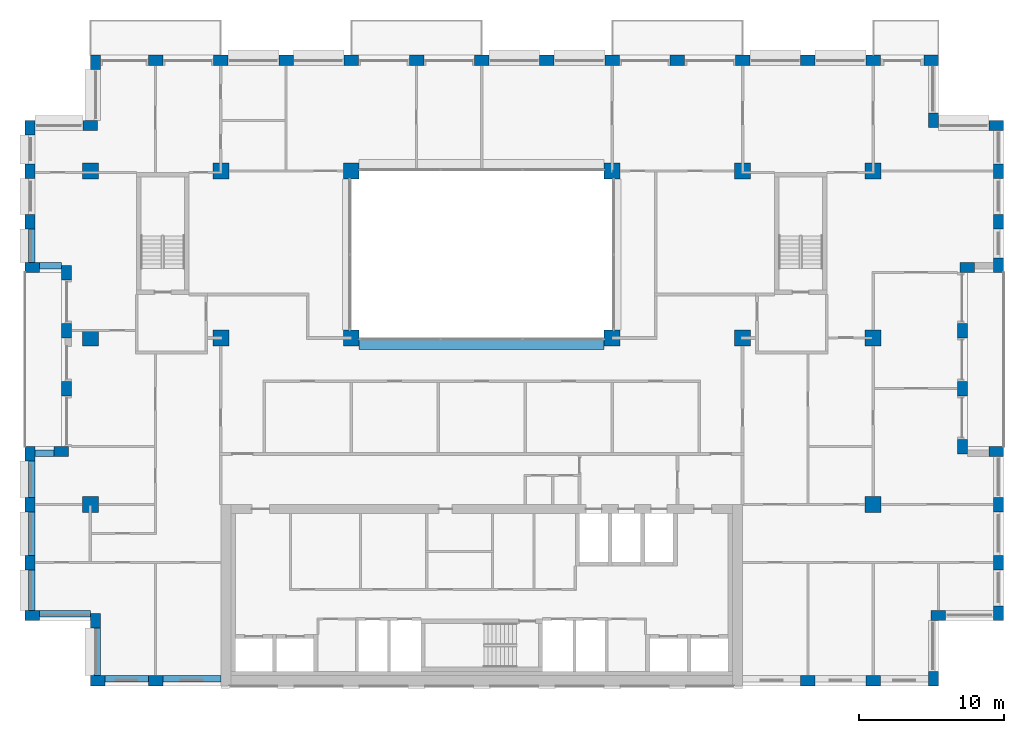
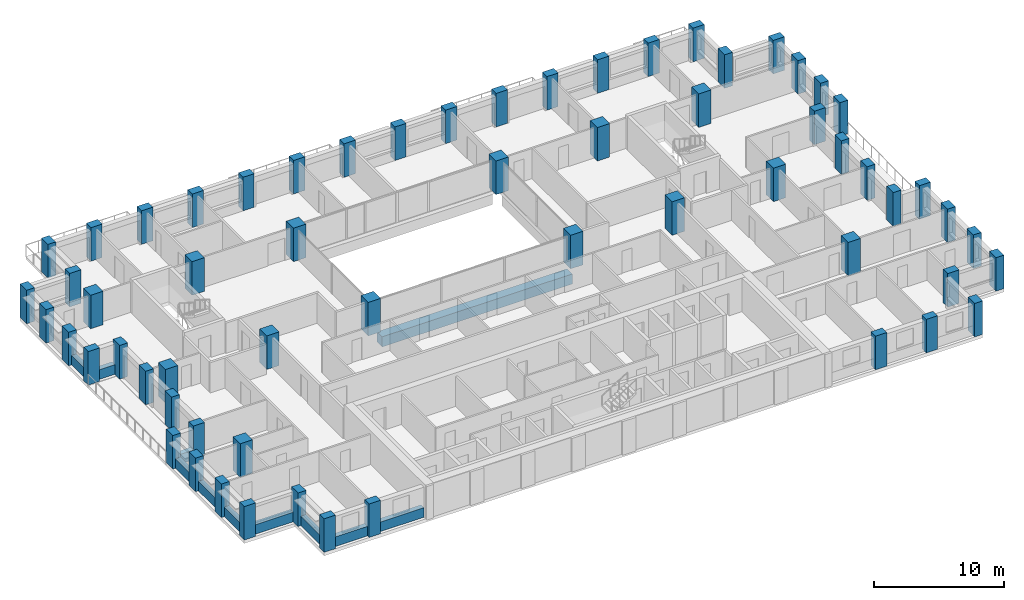
# One storey, part 1 of 15: 61 columns, 11 beams.
"""IFC4 building model written with IfcOpenShell, lengths in metres."""

from ifc_helpers import new_model, si_unit, direction, frame, origin, origin_2d, place, context, subcontext, project, spatial, rectangle, extrude, material, material_profile, profile_set, type_object, element, save


model = new_model("IFC4")

# Units and contexts
model_context = context("Model", 3, precision=1e-05, world=origin(), true_north=direction((0.0, 1.0)))
body_context = subcontext(model_context, "Body", "Model", "MODEL_VIEW")
ifc_project = project(units=[si_unit("LENGTHUNIT", "METRE"), si_unit("AREAUNIT", "SQUARE_METRE"), si_unit("VOLUMEUNIT", "CUBIC_METRE"), si_unit("PLANEANGLEUNIT", "RADIAN"), si_unit("MASSUNIT", "GRAM", prefix="KILO")], contexts=[model_context])

# Site, building, storey
site_placement = place(None, origin())
site = spatial("IfcSite", under=ifc_project, at=site_placement, CompositionType="ELEMENT")
building_placement = place(site_placement, origin())
building = spatial("IfcBuilding", under=site, at=building_placement, Name="Brigalow Station Residences", CompositionType="ELEMENT")
storey_placement = place(building_placement, frame((0.0, 0.0, 144.449951171875)))
storey = spatial("IfcBuildingStorey", under=building, at=storey_placement, Name="L41", CompositionType="ELEMENT", Elevation=144.449951171875)

# Columns
ifc_material_1 = material(Name="Concrete C65", Category="concrete")
ifc_material_profile_1 = material_profile(ifc_material_1, rectangle(XDim=1.10009765625, YDim=1.10009765625, at=origin_2d()), Name="RC1100x1100")
ifc_profile_set_1 = profile_set([ifc_material_profile_1], Name="Concrete C65")
column_type_1 = type_object("IfcColumnType", Name="COLUMN 1100x1100 C65", PredefinedType="COLUMN", material=ifc_profile_set_1)
for number, where, z_axis, x_axis, name in (
    (1, (9.0, 24.0, 0.0), (0.0, 0.0, 1.0), (1.0, 0.0, 0.0), "COLUMN C1 L41"),
    (2, (18.0, 24.0, 0.0), (0.0, 0.0, 1.0), (1.0, 0.0, 0.0), "COLUMN C2 L41"),
    (3, (27.0, 24.0, 0.0), (0.0, 0.0, 1.0), (1.0, 0.0, 0.0), "COLUMN C3 L41"),
    (4, (45.0, 24.0, 0.0), (0.0, 0.0, 1.0), (1.0, 0.0, 0.0), "COLUMN C5 L41"),
    (5, (54.0, 24.0, 0.0), (0.0, 0.0, 1.0), (1.0, 0.0, 0.0), "COLUMN C6 L41"),
    (6, (63.0, 24.0, 0.0), (0.0, 0.0, 1.0), (1.0, 0.0, 0.0), "COLUMN C7 L41"),
    (7, (9.0, 35.5, 0.0), (0.0, 0.0, 1.0), (1.0, 0.0, 0.0), "COLUMN D1 L41"),
    (8, (18.0, 35.5, 0.0), (0.0, 0.0, 1.0), (1.0, 0.0, 0.0), "COLUMN D2 L41"),
    (9, (27.0, 35.5, 0.0), (0.0, 0.0, 1.0), (1.0, 0.0, 0.0), "COLUMN D3 L41"),
    (10, (45.0, 35.5, 0.0), (0.0, 0.0, 1.0), (1.0, 0.0, 0.0), "COLUMN D5 L41"),
    (11, (54.0, 35.5, 0.0), (0.0, 0.0, 1.0), (1.0, 0.0, 0.0), "COLUMN D6 L41"),
    (12, (63.0, 35.5, 0.0), (0.0, 0.0, 1.0), (1.0, 0.0, 0.0), "COLUMN D7 L41"),
    (13, (9.0, 12.5, 0.0), (0.0, 0.0, 1.0), (1.0, 0.0, 0.0), "COLUMN B1 L41"),
    (14, (63.0, 12.5, 0.0), (0.0, 0.0, 1.0), (1.0, 0.0, 0.0), "COLUMN B7 L41"),
):
    element("IfcColumn", number, at=place(storey_placement, frame(where, z_axis=z_axis, x_axis=x_axis)), inside=storey, type_object=column_type_1, Name=name, PredefinedType="COLUMN", context=body_context, shape_type="SweptSolid", body=[
        extrude(rectangle(XDim=1.10009765625, YDim=1.10009765625, at=origin_2d()), origin(), (0.0, 0.0, 1.0), 3.150146484375),
    ])
ifc_material_2 = material(Name="Concrete C65", Category="concrete")
ifc_material_profile_2 = material_profile(ifc_material_2, rectangle(XDim=1.0, YDim=0.699951171875, at=origin_2d()), Name="RC1000x700")
ifc_profile_set_2 = profile_set([ifc_material_profile_2], Name="Concrete C65")
column_type_2 = type_object("IfcColumnType", Name="PIER 1000x700 C65", PredefinedType="USERDEFINED", material=ifc_profile_set_2)
for number, where, z_axis, x_axis, name in (
    (15, (9.5, 0.35009765625, 0.0), (0.0, 0.0, 1.0), (1.0, 0.0, 0.0), "PIER S-1 L41"),
    (16, (13.5, 0.35009765625, 0.0), (0.0, 0.0, 1.0), (1.0, 0.0, 0.0), "PIER S-2 L41"),
    (17, (58.5, 0.35009765625, 0.0), (0.0, 0.0, 1.0), (1.0, 0.0, 0.0), "PIER S-12 L41"),
    (18, (63.0, 0.35009765625, 0.0), (0.0, 0.0, 1.0), (1.0, 0.0, 0.0), "PIER S-13 L41"),
    (19, (67.14990234375, 0.5, 0.0), (0.0, 0.0, 1.0), (0.0, 1.0, 0.0), "PIER SE1-1 L41"),
    (20, (67.5, 4.85009765625, 0.0), (0.0, 0.0, 1.0), (1.0, 0.0, 0.0), "PIER SE2-1 L41"),
    (21, (71.64990234375, 5.0, 0.0), (0.0, 0.0, 1.0), (0.0, 1.0, 0.0), "PIER E1-1 L41"),
    (22, (71.64990234375, 8.5, 0.0), (0.0, 0.0, 1.0), (0.0, 1.0, 0.0), "PIER E1-2 L41"),
    (23, (71.64990234375, 12.5, 0.0), (0.0, 0.0, 1.0), (0.0, 1.0, 0.0), "PIER E1-3 L41"),
    (24, (71.5, 16.14990234375, 0.0), (0.0, 0.0, 1.0), (-1.0, 0.0, 0.0), "PIER EL1-1 L41"),
    (25, (69.14990234375, 16.5, 0.0), (0.0, 0.0, 1.0), (0.0, 1.0, 0.0), "PIER EL2-1 L41"),
    (26, (69.14990234375, 20.5, 0.0), (0.0, 0.0, 1.0), (0.0, 1.0, 0.0), "PIER EL2-2 L41"),
    (27, (69.14990234375, 24.5, 0.0), (0.0, 0.0, 1.0), (0.0, 1.0, 0.0), "PIER EL2-3 L41"),
    (28, (69.5, 28.85009765625, 0.0), (0.0, 0.0, 1.0), (1.0, 0.0, 0.0), "PIER EL3-1 L41"),
    (29, (71.64990234375, 29.0, 0.0), (0.0, 0.0, 1.0), (0.0, 1.0, 0.0), "PIER E2-1 L41"),
    (30, (71.64990234375, 32.0, 0.0), (0.0, 0.0, 1.0), (0.0, 1.0, 0.0), "PIER E2-2 L41"),
    (31, (71.64990234375, 35.5, 0.0), (0.0, 0.0, 1.0), (0.0, 1.0, 0.0), "PIER E2-3 L41"),
    (32, (71.5, 38.64990234375, 0.0), (0.0, 0.0, 1.0), (-1.0, 0.0, 0.0), "PIER NE1-1 L41"),
    (33, (67.14990234375, 39.0, 0.0), (0.0, 0.0, 1.0), (0.0, 1.0, 0.0), "PIER NE2-1 L41"),
    (34, (67.0, 43.14990234375, 0.0), (0.0, 0.0, 1.0), (-1.0, 0.0, 0.0), "PIER N-1 L41"),
    (35, (63.0, 43.14990234375, 0.0), (0.0, 0.0, 1.0), (-1.0, 0.0, 0.0), "PIER N-2 L41"),
    (36, (58.5, 43.14990234375, 0.0), (0.0, 0.0, 1.0), (-1.0, 0.0, 0.0), "PIER N-3 L41"),
    (37, (54.0, 43.14990234375, 0.0), (0.0, 0.0, 1.0), (-1.0, 0.0, 0.0), "PIER N-4 L41"),
    (38, (49.5, 43.14990234375, 0.0), (0.0, 0.0, 1.0), (-1.0, 0.0, 0.0), "PIER N-5 L41"),
    (39, (45.0, 43.14990234375, 0.0), (0.0, 0.0, 1.0), (-1.0, 0.0, 0.0), "PIER N-6 L41"),
    (40, (40.5, 43.14990234375, 0.0), (0.0, 0.0, 1.0), (-1.0, 0.0, 0.0), "PIER N-7 L41"),
    (41, (36.0, 43.14990234375, 0.0), (0.0, 0.0, 1.0), (-1.0, 0.0, 0.0), "PIER N-8 L41"),
    (42, (31.5, 43.14990234375, 0.0), (0.0, 0.0, 1.0), (-1.0, 0.0, 0.0), "PIER N-9 L41"),
    (43, (27.0, 43.14990234375, 0.0), (0.0, 0.0, 1.0), (-1.0, 0.0, 0.0), "PIER N-10 L41"),
    (44, (22.5, 43.14990234375, 0.0), (0.0, 0.0, 1.0), (-1.0, 0.0, 0.0), "PIER N-11 L41"),
    (45, (18.0, 43.14990234375, 0.0), (0.0, 0.0, 1.0), (-1.0, 0.0, 0.0), "PIER N-12 L41"),
    (46, (13.5, 43.14990234375, 0.0), (0.0, 0.0, 1.0), (-1.0, 0.0, 0.0), "PIER N-13 L41"),
    (47, (9.35009765625, 43.0, 0.0), (0.0, 0.0, 1.0), (0.0, -1.0, 0.0), "PIER NW1-1 L41"),
    (48, (9.0, 38.64990234375, 0.0), (0.0, 0.0, 1.0), (-1.0, 0.0, 0.0), "PIER NW2-1 L41"),
    (49, (4.85009765625, 38.5, 0.0), (0.0, 0.0, 1.0), (0.0, -1.0, 0.0), "PIER W2-1 L41"),
    (50, (4.85009765625, 35.5, 0.0), (0.0, 0.0, 1.0), (0.0, -1.0, 0.0), "PIER W2-2 L41"),
    (51, (4.85009765625, 32.0, 0.0), (0.0, 0.0, 1.0), (0.0, -1.0, 0.0), "PIER W2-3 L41"),
    (52, (5.0, 28.85009765625, 0.0), (0.0, 0.0, 1.0), (1.0, 0.0, 0.0), "PIER WL1-1 L41"),
    (53, (7.35009765625, 28.5, 0.0), (0.0, 0.0, 1.0), (0.0, -1.0, 0.0), "PIER WL2-1 L41"),
    (54, (7.35009765625, 24.5, 0.0), (0.0, 0.0, 1.0), (0.0, -1.0, 0.0), "PIER WL2-2 L41"),
    (55, (7.35009765625, 20.5, 0.0), (0.0, 0.0, 1.0), (0.0, -1.0, 0.0), "PIER WL2-3 L41"),
    (56, (7.0, 16.14990234375, 0.0), (0.0, 0.0, 1.0), (-1.0, 0.0, 0.0), "PIER WL3-1 L41"),
    (57, (4.85009765625, 16.0, 0.0), (0.0, 0.0, 1.0), (0.0, -1.0, 0.0), "PIER W1-1 L41"),
    (58, (4.85009765625, 12.5, 0.0), (0.0, 0.0, 1.0), (0.0, -1.0, 0.0), "PIER W1-2 L41"),
    (59, (4.85009765625, 8.5, 0.0), (0.0, 0.0, 1.0), (0.0, -1.0, 0.0), "PIER W1-3 L41"),
    (60, (5.0, 4.85009765625, 0.0), (0.0, 0.0, 1.0), (1.0, 0.0, 0.0), "PIER SW1-1 L41"),
    (61, (9.35009765625, 4.5, 0.0), (0.0, 0.0, 1.0), (0.0, -1.0, 0.0), "PIER SW2-1 L41"),
):
    element("IfcColumn", number, at=place(storey_placement, frame(where, z_axis=z_axis, x_axis=x_axis)), inside=storey, type_object=column_type_2, Name=name, ObjectType="PIER", PredefinedType="USERDEFINED", context=body_context, shape_type="SweptSolid", body=[
        extrude(rectangle(XDim=1.0, YDim=0.699951171875, at=origin_2d()), origin(), (0.0, 0.0, 1.0), 3.150146484375),
    ])

# Beams
ifc_material_3 = material(Name="Concrete C65", Category="concrete")
ifc_material_profile_3 = material_profile(ifc_material_3, rectangle(XDim=0.800048828125, YDim=0.949951171875, at=origin_2d()), Name="RC800x950")
ifc_profile_set_3 = profile_set([ifc_material_profile_3], Name="Concrete C65")
beam_type_1 = type_object("IfcBeamType", Name="ATRIUM EDGE GIRDER OVER 13.5 M SPAN 800x950 C65", PredefinedType="BEAM", material=ifc_profile_set_3)
beam_1_placement = place(storey_placement, frame((27.550048828125, 23.60009765625, -0.794921875), z_axis=(1.0, 0.0, 0.0), x_axis=(0.0, 1.0, 0.0)))
element("IfcBeam", 62, at=beam_1_placement, inside=storey, type_object=beam_type_1, Name="ATRIUM EDGE GIRDER C L41", PredefinedType="BEAM", context=body_context, shape_type="SweptSolid", body=[
    extrude(rectangle(XDim=0.800048828125, YDim=0.949951171875, at=origin_2d()), origin(), (0.0, 0.0, 1.0), 16.89990234375),
])
ifc_material_4 = material(Name="Concrete C50", Category="concrete")
ifc_material_profile_4 = material_profile(ifc_material_4, rectangle(XDim=0.449951171875, YDim=0.89990234375, at=origin_2d()), Name="RC450x900")
ifc_profile_set_4 = profile_set([ifc_material_profile_4], Name="Concrete C50")
beam_type_2 = type_object("IfcBeamType", Name="SPANDREL BEAM 450x900 C50", PredefinedType="SPANDREL", material=ifc_profile_set_4)
beam_2_placement = place(storey_placement, frame((10.0, 0.47509765625, 0.449951171875), z_axis=(1.0, 0.0, 0.0), x_axis=(0.0, 1.0, 0.0)))
element("IfcBeam", 63, at=beam_2_placement, inside=storey, type_object=beam_type_2, Name="L41/spandrel/W-L41-1", PredefinedType="SPANDREL", context=body_context, shape_type="SweptSolid", body=[
    extrude(rectangle(XDim=0.449951171875, YDim=0.89990234375, at=origin_2d()), origin(), (0.0, 0.0, 1.0), 3.0),
])
beam_3_placement = place(storey_placement, frame((14.0, 0.47509765625, 0.449951171875), z_axis=(1.0, 0.0, 0.0), x_axis=(0.0, 1.0, 0.0)))
element("IfcBeam", 64, at=beam_3_placement, inside=storey, type_object=beam_type_2, Name="L41/spandrel/W-L41-2", PredefinedType="SPANDREL", context=body_context, shape_type="SweptSolid", body=[
    extrude(rectangle(XDim=0.449951171875, YDim=0.89990234375, at=origin_2d()), origin(), (0.0, 0.0, 1.0), 4.0),
])
beam_4_placement = place(storey_placement, frame((4.97509765625, 31.5, 0.449951171875), z_axis=(0.0, -1.0, 0.0), x_axis=(1.0, 0.0, 0.0)))
element("IfcBeam", 65, at=beam_4_placement, inside=storey, type_object=beam_type_2, Name="L41/spandrel/W-L41-39", PredefinedType="SPANDREL", context=body_context, shape_type="SweptSolid", body=[
    extrude(rectangle(XDim=0.449951171875, YDim=0.89990234375, at=origin_2d()), origin(), (0.0, 0.0, 1.0), 2.300048828125),
])
beam_5_placement = place(storey_placement, frame((5.5, 28.97509765625, 0.449951171875), z_axis=(1.0, 0.0, 0.0), x_axis=(0.0, 1.0, 0.0)))
element("IfcBeam", 66, at=beam_5_placement, inside=storey, type_object=beam_type_2, Name="L41/spandrel/W-L41-40", PredefinedType="SPANDREL", context=body_context, shape_type="SweptSolid", body=[
    extrude(rectangle(XDim=0.449951171875, YDim=0.89990234375, at=origin_2d()), origin(), (0.0, 0.0, 1.0), 1.5),
])
beam_6_placement = place(storey_placement, frame((6.5, 16.02490234375, 0.449951171875), z_axis=(-1.0, 0.0, 0.0), x_axis=(0.0, -1.0, 0.0)))
element("IfcBeam", 67, at=beam_6_placement, inside=storey, type_object=beam_type_2, Name="L41/spandrel/W-L41-44", PredefinedType="SPANDREL", context=body_context, shape_type="SweptSolid", body=[
    extrude(rectangle(XDim=0.449951171875, YDim=0.89990234375, at=origin_2d()), origin(), (0.0, 0.0, 1.0), 1.300048828125),
])
beam_7_placement = place(storey_placement, frame((4.97509765625, 15.5, 0.449951171875), z_axis=(0.0, -1.0, 0.0), x_axis=(1.0, 0.0, 0.0)))
element("IfcBeam", 68, at=beam_7_placement, inside=storey, type_object=beam_type_2, Name="L41/spandrel/W-L41-45", PredefinedType="SPANDREL", context=body_context, shape_type="SweptSolid", body=[
    extrude(rectangle(XDim=0.449951171875, YDim=0.89990234375, at=origin_2d()), origin(), (0.0, 0.0, 1.0), 2.5),
])
beam_8_placement = place(storey_placement, frame((4.97509765625, 12.0, 0.449951171875), z_axis=(0.0, -1.0, 0.0), x_axis=(1.0, 0.0, 0.0)))
element("IfcBeam", 69, at=beam_8_placement, inside=storey, type_object=beam_type_2, Name="L41/spandrel/W-L41-46", PredefinedType="SPANDREL", context=body_context, shape_type="SweptSolid", body=[
    extrude(rectangle(XDim=0.449951171875, YDim=0.89990234375, at=origin_2d()), origin(), (0.0, 0.0, 1.0), 3.0),
])
beam_9_placement = place(storey_placement, frame((4.97509765625, 8.0, 0.449951171875), z_axis=(0.0, -1.0, 0.0), x_axis=(1.0, 0.0, 0.0)))
element("IfcBeam", 70, at=beam_9_placement, inside=storey, type_object=beam_type_2, Name="L41/spandrel/W-L41-47", PredefinedType="SPANDREL", context=body_context, shape_type="SweptSolid", body=[
    extrude(rectangle(XDim=0.449951171875, YDim=0.89990234375, at=origin_2d()), origin(), (0.0, 0.0, 1.0), 2.800048828125),
])
beam_10_placement = place(storey_placement, frame((5.5, 4.97509765625, 0.449951171875), z_axis=(1.0, 0.0, 0.0), x_axis=(0.0, 1.0, 0.0)))
element("IfcBeam", 71, at=beam_10_placement, inside=storey, type_object=beam_type_2, Name="L41/spandrel/W-L41-48", PredefinedType="SPANDREL", context=body_context, shape_type="SweptSolid", body=[
    extrude(rectangle(XDim=0.449951171875, YDim=0.89990234375, at=origin_2d()), origin(), (0.0, 0.0, 1.0), 3.5),
])
beam_11_placement = place(storey_placement, frame((9.47509765625, 4.0, 0.449951171875), z_axis=(0.0, -1.0, 0.0), x_axis=(1.0, 0.0, 0.0)))
element("IfcBeam", 72, at=beam_11_placement, inside=storey, type_object=beam_type_2, Name="L41/spandrel/W-L41-49", PredefinedType="SPANDREL", context=body_context, shape_type="SweptSolid", body=[
    extrude(rectangle(XDim=0.449951171875, YDim=0.89990234375, at=origin_2d()), origin(), (0.0, 0.0, 1.0), 3.300048828125),
])

save(model, "model.ifc")
